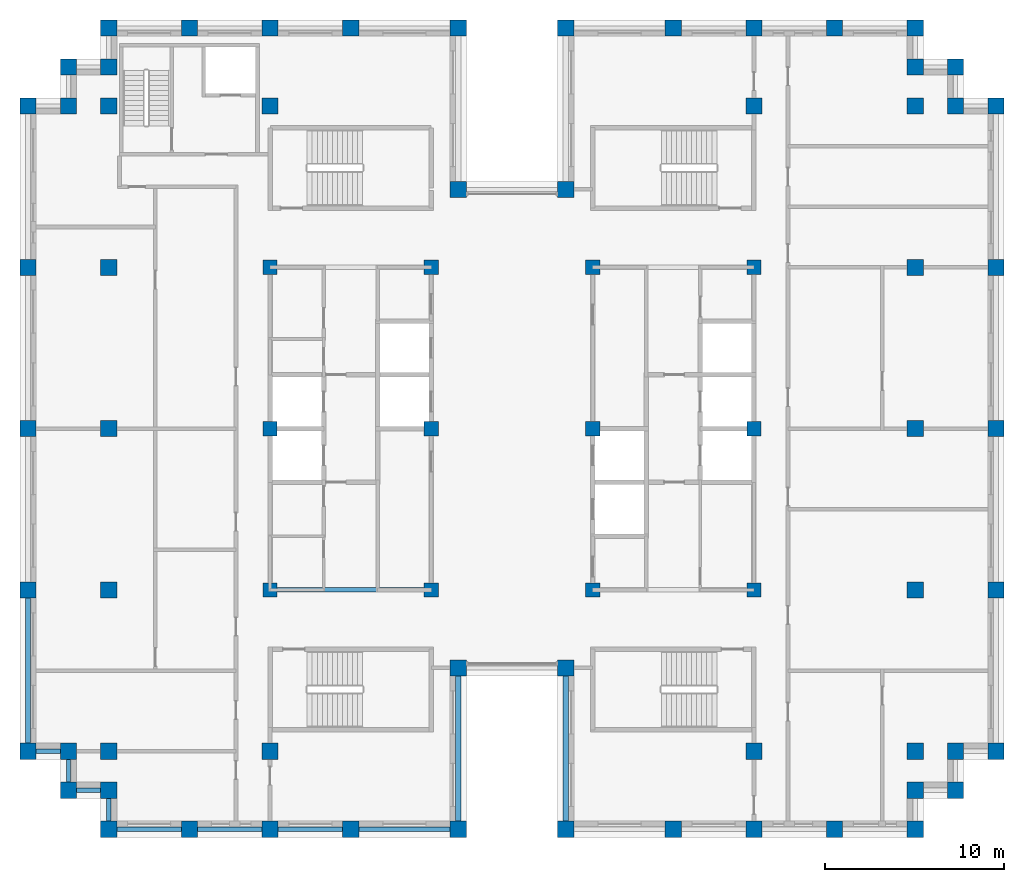
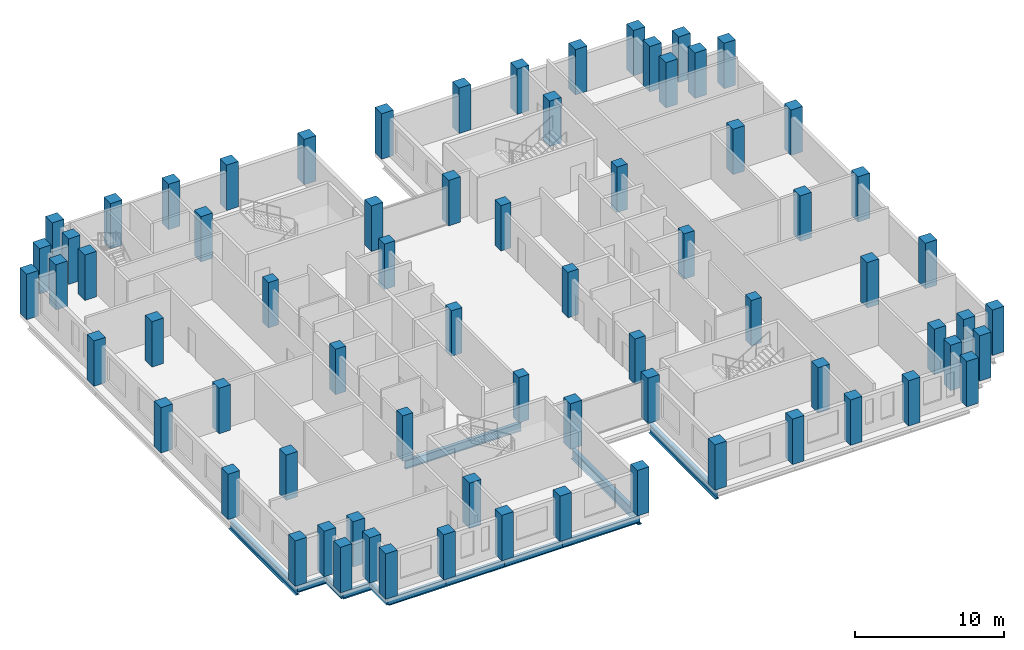
# One storey, part 1 of 13: 72 columns, 12 beams.
"""IFC4 building model written with IfcOpenShell, lengths in metres."""

from ifc_helpers import new_model, si_unit, direction, frame, origin, origin_2d, place, context, subcontext, project, spatial, rectangle, i_section, extrude, material, material_profile, profile_set, type_object, element, save


model = new_model("IFC4")

# Units and contexts
model_context = context("Model", 3, precision=1e-05, world=origin(), true_north=direction((0.0, 1.0)))
body_context = subcontext(model_context, "Body", "Model", "MODEL_VIEW")
ifc_project = project(units=[si_unit("LENGTHUNIT", "METRE"), si_unit("AREAUNIT", "SQUARE_METRE"), si_unit("VOLUMEUNIT", "CUBIC_METRE"), si_unit("PLANEANGLEUNIT", "RADIAN"), si_unit("MASSUNIT", "GRAM", prefix="KILO")], contexts=[model_context])

# Site, building, storey
site_placement = place(None, origin())
site = spatial("IfcSite", under=ifc_project, at=site_placement, CompositionType="ELEMENT")
building_placement = place(site_placement, origin())
building = spatial("IfcBuilding", under=site, at=building_placement, Name="Corbelhall Arena Tower", CompositionType="ELEMENT")
storey_placement = place(building_placement, frame((0.0, 0.0, 258.0)))
storey = spatial("IfcBuildingStorey", under=building, at=storey_placement, Name="L55", CompositionType="ELEMENT", Elevation=258.0)

# Columns
ifc_material_1 = material(Name="Concrete C80/95", Category="concrete")
ifc_material_profile_1 = material_profile(ifc_material_1, rectangle(XDim=0.800048828125, YDim=0.800048828125, at=origin_2d()))
ifc_profile_set_1 = profile_set([ifc_material_profile_1], Name="Concrete C80/95")
column_type_1 = type_object("IfcColumnType", Name="ST-COL-RC 800x800", PredefinedType="COLUMN", material=ifc_profile_set_1)
for number, where, z_axis, x_axis, name in (
    (1, (4.5, 0.0, 0.0), (0.0, 0.0, 1.0), (1.0, 0.0, 0.0), "Column KE+0450+0000"),
    (2, (4.5, 9.0, 0.0), (0.0, 0.0, 1.0), (1.0, 0.0, 0.0), "Column KE+0450+0900"),
    (3, (4.5, -9.0, 0.0), (0.0, 0.0, 1.0), (1.0, 0.0, 0.0), "Column KE+0450-0900"),
    (4, (13.5, 0.0, 0.0), (0.0, 0.0, 1.0), (1.0, 0.0, 0.0), "Column KE+1350+0000"),
    (5, (13.5, 9.0, 0.0), (0.0, 0.0, 1.0), (1.0, 0.0, 0.0), "Column KE+1350+0900"),
    (6, (13.5, -9.0, 0.0), (0.0, 0.0, 1.0), (1.0, 0.0, 0.0), "Column KE+1350-0900"),
    (7, (-4.5, 0.0, 0.0), (0.0, 0.0, 1.0), (1.0, 0.0, 0.0), "Column KW-0450+0000"),
    (8, (-4.5, 9.0, 0.0), (0.0, 0.0, 1.0), (1.0, 0.0, 0.0), "Column KW-0450+0900"),
    (9, (-4.5, -9.0, 0.0), (0.0, 0.0, 1.0), (1.0, 0.0, 0.0), "Column KW-0450-0900"),
    (10, (-13.5, 0.0, 0.0), (0.0, 0.0, 1.0), (1.0, 0.0, 0.0), "Column KW-1350+0000"),
    (11, (-13.5, 9.0, 0.0), (0.0, 0.0, 1.0), (1.0, 0.0, 0.0), "Column KW-1350+0900"),
    (12, (-13.5, -9.0, 0.0), (0.0, 0.0, 1.0), (1.0, 0.0, 0.0), "Column KW-1350-0900"),
):
    element("IfcColumn", number, at=place(storey_placement, frame(where, z_axis=z_axis, x_axis=x_axis)), inside=storey, type_object=column_type_1, Name=name, PredefinedType="COLUMN", context=body_context, shape_type="SweptSolid", body=[
        extrude(rectangle(XDim=0.800048828125, YDim=0.800048828125, at=origin_2d()), origin(), (0.0, 0.0, 1.0), 3.719970703125),
    ])
ifc_material_profile_2 = material_profile(ifc_material_1, rectangle(XDim=0.89990234375, YDim=0.89990234375, at=origin_2d()))
ifc_profile_set_2 = profile_set([ifc_material_profile_2], Name="Concrete C80/95")
column_type_2 = type_object("IfcColumnType", Name="ST-COL-RC 900x900", PredefinedType="COLUMN", material=ifc_profile_set_2)
for number, where, z_axis, x_axis, name in (
    (13, (13.5, 18.0, 0.0), (0.0, 0.0, 1.0), (1.0, 0.0, 0.0), "Column IE13+1800"),
    (14, (13.5, -18.0, 0.0), (0.0, 0.0, 1.0), (1.0, 0.0, 0.0), "Column IE13-1800"),
    (15, (22.5, 0.0, 0.0), (0.0, 0.0, 1.0), (1.0, 0.0, 0.0), "Column IE22+0000"),
    (16, (22.5, 9.0, 0.0), (0.0, 0.0, 1.0), (1.0, 0.0, 0.0), "Column IE22+0900"),
    (17, (22.5, 18.0, 0.0), (0.0, 0.0, 1.0), (1.0, 0.0, 0.0), "Column IE22+1800"),
    (18, (22.5, -9.0, 0.0), (0.0, 0.0, 1.0), (1.0, 0.0, 0.0), "Column IE22-0900"),
    (19, (22.5, -18.0, 0.0), (0.0, 0.0, 1.0), (1.0, 0.0, 0.0), "Column IE22-1800"),
    (20, (-13.5, 18.0, 0.0), (0.0, 0.0, 1.0), (1.0, 0.0, 0.0), "Column IW13+1800"),
    (21, (-13.5, -18.0, 0.0), (0.0, 0.0, 1.0), (1.0, 0.0, 0.0), "Column IW13-1800"),
    (22, (-22.5, 0.0, 0.0), (0.0, 0.0, 1.0), (1.0, 0.0, 0.0), "Column IW22+0000"),
    (23, (-22.5, 9.0, 0.0), (0.0, 0.0, 1.0), (1.0, 0.0, 0.0), "Column IW22+0900"),
    (24, (-22.5, 18.0, 0.0), (0.0, 0.0, 1.0), (1.0, 0.0, 0.0), "Column IW22+1800"),
    (25, (-22.5, -9.0, 0.0), (0.0, 0.0, 1.0), (1.0, 0.0, 0.0), "Column IW22-0900"),
    (26, (-22.5, -18.0, 0.0), (0.0, 0.0, 1.0), (1.0, 0.0, 0.0), "Column IW22-1800"),
    (27, (27.0, 0.0, 0.0), (0.0, 0.0, 1.0), (0.0, 1.0, 0.0), "Column PE+0000"),
    (28, (27.0, 9.0, 0.0), (0.0, 0.0, 1.0), (0.0, 1.0, 0.0), "Column PE+0900"),
    (29, (27.0, 18.0, 0.0), (0.0, 0.0, 1.0), (0.0, 1.0, 0.0), "Column PE+1800"),
    (30, (27.0, -9.0, 0.0), (0.0, 0.0, 1.0), (0.0, 1.0, 0.0), "Column PE-0900"),
    (31, (27.0, -18.0, 0.0), (0.0, 0.0, 1.0), (0.0, 1.0, 0.0), "Column PE-1800"),
    (32, (3.0, 22.35009765625, 0.0), (0.0, 0.0, 1.0), (1.0, 0.0, 0.0), "Column PNE0300"),
    (33, (9.0, 22.35009765625, 0.0), (0.0, 0.0, 1.0), (1.0, 0.0, 0.0), "Column PNE0900"),
    (34, (13.5, 22.35009765625, 0.0), (0.0, 0.0, 1.0), (1.0, 0.0, 0.0), "Column PNE1350"),
    (35, (18.0, 22.35009765625, 0.0), (0.0, 0.0, 1.0), (1.0, 0.0, 0.0), "Column PNE1800"),
    (36, (22.5, 22.35009765625, 0.0), (0.0, 0.0, 1.0), (1.0, 0.0, 0.0), "Column PNE2250"),
    (37, (-3.0, 22.35009765625, 0.0), (0.0, 0.0, 1.0), (1.0, 0.0, 0.0), "Column PNW0300"),
    (38, (-9.0, 22.35009765625, 0.0), (0.0, 0.0, 1.0), (1.0, 0.0, 0.0), "Column PNW0900"),
    (39, (-13.5, 22.35009765625, 0.0), (0.0, 0.0, 1.0), (1.0, 0.0, 0.0), "Column PNW1350"),
    (40, (-18.0, 22.35009765625, 0.0), (0.0, 0.0, 1.0), (1.0, 0.0, 0.0), "Column PNW1800"),
    (41, (-22.5, 22.35009765625, 0.0), (0.0, 0.0, 1.0), (1.0, 0.0, 0.0), "Column PNW2250"),
    (42, (3.0, -22.35009765625, 0.0), (0.0, 0.0, 1.0), (1.0, 0.0, 0.0), "Column PSE0300"),
    (43, (9.0, -22.35009765625, 0.0), (0.0, 0.0, 1.0), (1.0, 0.0, 0.0), "Column PSE0900"),
    (44, (13.5, -22.35009765625, 0.0), (0.0, 0.0, 1.0), (1.0, 0.0, 0.0), "Column PSE1350"),
    (45, (18.0, -22.35009765625, 0.0), (0.0, 0.0, 1.0), (1.0, 0.0, 0.0), "Column PSE1800"),
    (46, (22.5, -22.35009765625, 0.0), (0.0, 0.0, 1.0), (1.0, 0.0, 0.0), "Column PSE2250"),
    (47, (-3.0, -22.35009765625, 0.0), (0.0, 0.0, 1.0), (1.0, 0.0, 0.0), "Column PSW0300"),
    (48, (-9.0, -22.35009765625, 0.0), (0.0, 0.0, 1.0), (1.0, 0.0, 0.0), "Column PSW0900"),
    (49, (-13.5, -22.35009765625, 0.0), (0.0, 0.0, 1.0), (1.0, 0.0, 0.0), "Column PSW1350"),
    (50, (-18.0, -22.35009765625, 0.0), (0.0, 0.0, 1.0), (1.0, 0.0, 0.0), "Column PSW1800"),
    (51, (-22.5, -22.35009765625, 0.0), (0.0, 0.0, 1.0), (1.0, 0.0, 0.0), "Column PSW2250"),
    (52, (-27.0, 0.0, 0.0), (0.0, 0.0, 1.0), (0.0, 1.0, 0.0), "Column PW+0000"),
    (53, (-27.0, 9.0, 0.0), (0.0, 0.0, 1.0), (0.0, 1.0, 0.0), "Column PW+0900"),
    (54, (-27.0, 18.0, 0.0), (0.0, 0.0, 1.0), (0.0, 1.0, 0.0), "Column PW+1800"),
    (55, (-27.0, -9.0, 0.0), (0.0, 0.0, 1.0), (0.0, 1.0, 0.0), "Column PW-0900"),
    (56, (-27.0, -18.0, 0.0), (0.0, 0.0, 1.0), (0.0, 1.0, 0.0), "Column PW-1800"),
    (57, (3.0, 13.35009765625, 0.0), (0.0, 0.0, 1.0), (1.0, 0.0, 0.0), "Column SLNE2"),
    (58, (-3.0, 13.35009765625, 0.0), (0.0, 0.0, 1.0), (1.0, 0.0, 0.0), "Column SLNW2"),
    (59, (3.0, -13.35009765625, 0.0), (0.0, 0.0, 1.0), (1.0, 0.0, 0.0), "Column SLSE2"),
    (60, (-3.0, -13.35009765625, 0.0), (0.0, 0.0, 1.0), (1.0, 0.0, 0.0), "Column SLSW2"),
    (61, (22.5, 20.175048828125, 0.0), (0.0, 0.0, 1.0), (1.0, 0.0, 0.0), "Column XNE1"),
    (62, (24.75, 20.175048828125, 0.0), (0.0, 0.0, 1.0), (1.0, 0.0, 0.0), "Column XNE2"),
    (63, (24.75, 18.0, 0.0), (0.0, 0.0, 1.0), (1.0, 0.0, 0.0), "Column XNE3"),
    (64, (-22.5, 20.175048828125, 0.0), (0.0, 0.0, 1.0), (1.0, 0.0, 0.0), "Column XNW1"),
    (65, (-24.75, 20.175048828125, 0.0), (0.0, 0.0, 1.0), (1.0, 0.0, 0.0), "Column XNW2"),
    (66, (-24.75, 18.0, 0.0), (0.0, 0.0, 1.0), (1.0, 0.0, 0.0), "Column XNW3"),
    (67, (22.5, -20.175048828125, 0.0), (0.0, 0.0, 1.0), (1.0, 0.0, 0.0), "Column XSE1"),
    (68, (24.75, -20.175048828125, 0.0), (0.0, 0.0, 1.0), (1.0, 0.0, 0.0), "Column XSE2"),
    (69, (24.75, -18.0, 0.0), (0.0, 0.0, 1.0), (1.0, 0.0, 0.0), "Column XSE3"),
    (70, (-22.5, -20.175048828125, 0.0), (0.0, 0.0, 1.0), (1.0, 0.0, 0.0), "Column XSW1"),
    (71, (-24.75, -20.175048828125, 0.0), (0.0, 0.0, 1.0), (1.0, 0.0, 0.0), "Column XSW2"),
    (72, (-24.75, -18.0, 0.0), (0.0, 0.0, 1.0), (1.0, 0.0, 0.0), "Column XSW3"),
):
    element("IfcColumn", number, at=place(storey_placement, frame(where, z_axis=z_axis, x_axis=x_axis)), inside=storey, type_object=column_type_2, Name=name, PredefinedType="COLUMN", context=body_context, shape_type="SweptSolid", body=[
        extrude(rectangle(XDim=0.89990234375, YDim=0.89990234375, at=origin_2d()), origin(), (0.0, 0.0, 1.0), 3.719970703125),
    ])

# Beams
ifc_material_2 = material(Name="Steel ASTM A992 Gr50", Category="steel")
ifc_material_profile_3 = material_profile(ifc_material_2, i_section(OverallWidth=0.25390625, OverallDepth=0.67822265625, WebThickness=0.01171875, FlangeThickness=0.016357421875, at=origin_2d()))
ifc_profile_set_3 = profile_set([ifc_material_profile_3], Name="Steel ASTM A992 Gr50")
beam_type_1 = type_object("IfcBeamType", Name="ST-BEAM-W27x84", PredefinedType="BEAM", material=ifc_profile_set_3)
beam_1_placement = place(storey_placement, frame((-13.5, -9.0, -0.619140625), z_axis=(1.0, 0.0, 0.0), x_axis=(0.0, 1.0, 0.0)))
element("IfcBeam", 73, at=beam_1_placement, inside=storey, type_object=beam_type_1, Name="Beam CEW 5", PredefinedType="BEAM", context=body_context, shape_type="SweptSolid", body=[
    extrude(i_section(OverallWidth=0.25390625, OverallDepth=0.67822265625, WebThickness=0.01171875, FlangeThickness=0.016357421875, at=origin_2d()), origin(), (0.0, 0.0, 1.0), 9.0),
])
ifc_material_profile_4 = material_profile(ifc_material_2, i_section(OverallWidth=0.227783203125, OverallDepth=0.60205078125, WebThickness=0.010498046875, FlangeThickness=0.014892578125, at=origin_2d()))
ifc_profile_set_4 = profile_set([ifc_material_profile_4], Name="Steel ASTM A992 Gr50")
beam_type_2 = type_object("IfcBeamType", Name="ST-SPANDREL-W24x68", PredefinedType="SPANDREL", material=ifc_profile_set_4)
beam_2_placement = place(storey_placement, frame((-3.0, -22.35009765625, -0.5810546875), z_axis=(-1.0, 0.0, 0.0), x_axis=(0.0, -1.0, 0.0)))
element("IfcBeam", 74, at=beam_2_placement, inside=storey, type_object=beam_type_2, Name="Beam SP 21", PredefinedType="SPANDREL", context=body_context, shape_type="SweptSolid", body=[
    extrude(i_section(OverallWidth=0.227783203125, OverallDepth=0.60205078125, WebThickness=0.010498046875, FlangeThickness=0.014892578125, at=origin_2d()), origin(), (0.0, 0.0, 1.0), 6.0),
])
for number, where, z_axis, x_axis, name in (
    (75, (-9.0, -22.35009765625, -0.5810546875), (-1.0, 0.0, 0.0), (0.0, -1.0, 0.0), "Beam SP 22"),
    (76, (-13.5, -22.35009765625, -0.5810546875), (-1.0, 0.0, 0.0), (0.0, -1.0, 0.0), "Beam SP 23"),
    (77, (-18.0, -22.35009765625, -0.5810546875), (-1.0, 0.0, 0.0), (0.0, -1.0, 0.0), "Beam SP 24"),
):
    element("IfcBeam", number, at=place(storey_placement, frame(where, z_axis=z_axis, x_axis=x_axis)), inside=storey, type_object=beam_type_2, Name=name, PredefinedType="SPANDREL", context=body_context, shape_type="SweptSolid", body=[
        extrude(i_section(OverallWidth=0.227783203125, OverallDepth=0.60205078125, WebThickness=0.010498046875, FlangeThickness=0.014892578125, at=origin_2d()), origin(), (0.0, 0.0, 1.0), 4.5),
    ])
beam_3_placement = place(storey_placement, frame((-22.5, -22.35009765625, -0.5810546875), z_axis=(0.0, 1.0, 0.0), x_axis=(-1.0, 0.0, 0.0)))
element("IfcBeam", 78, at=beam_3_placement, inside=storey, type_object=beam_type_2, Name="Beam SP 25", PredefinedType="SPANDREL", context=body_context, shape_type="SweptSolid", body=[
    extrude(i_section(OverallWidth=0.227783203125, OverallDepth=0.60205078125, WebThickness=0.010498046875, FlangeThickness=0.014892578125, at=origin_2d()), origin(), (0.0, 0.0, 1.0), 2.175048828125),
])
beam_4_placement = place(storey_placement, frame((-22.5, -20.175048828125, -0.5810546875), z_axis=(-1.0, 0.0, 0.0), x_axis=(0.0, -1.0, 0.0)))
element("IfcBeam", 79, at=beam_4_placement, inside=storey, type_object=beam_type_2, Name="Beam SP 44", PredefinedType="SPANDREL", context=body_context, shape_type="SweptSolid", body=[
    extrude(i_section(OverallWidth=0.227783203125, OverallDepth=0.60205078125, WebThickness=0.010498046875, FlangeThickness=0.014892578125, at=origin_2d()), origin(), (0.0, 0.0, 1.0), 2.25),
])
beam_5_placement = place(storey_placement, frame((-24.75, -20.175048828125, -0.5810546875), z_axis=(0.0, 1.0, 0.0), x_axis=(-1.0, 0.0, 0.0)))
element("IfcBeam", 80, at=beam_5_placement, inside=storey, type_object=beam_type_2, Name="Beam SP 45", PredefinedType="SPANDREL", context=body_context, shape_type="SweptSolid", body=[
    extrude(i_section(OverallWidth=0.227783203125, OverallDepth=0.60205078125, WebThickness=0.010498046875, FlangeThickness=0.014892578125, at=origin_2d()), origin(), (0.0, 0.0, 1.0), 2.175048828125),
])
beam_6_placement = place(storey_placement, frame((-24.75, -18.0, -0.5810546875), z_axis=(-1.0, 0.0, 0.0), x_axis=(0.0, -1.0, 0.0)))
element("IfcBeam", 81, at=beam_6_placement, inside=storey, type_object=beam_type_2, Name="Beam SP 46", PredefinedType="SPANDREL", context=body_context, shape_type="SweptSolid", body=[
    extrude(i_section(OverallWidth=0.227783203125, OverallDepth=0.60205078125, WebThickness=0.010498046875, FlangeThickness=0.014892578125, at=origin_2d()), origin(), (0.0, 0.0, 1.0), 2.25),
])
ifc_material_profile_5 = material_profile(ifc_material_2, i_section(OverallWidth=0.2919921875, OverallDepth=0.845703125, WebThickness=0.015380859375, FlangeThickness=0.0244140625, at=origin_2d()))
ifc_profile_set_5 = profile_set([ifc_material_profile_5], Name="Steel ASTM A992 Gr50")
beam_type_3 = type_object("IfcBeamType", Name="ST-SPANDREL-W33x141", PredefinedType="SPANDREL", material=ifc_profile_set_5)
for number, where, z_axis, x_axis, name in (
    (82, (3.0, -22.35009765625, -0.702880859375), (0.0, 1.0, 0.0), (-1.0, 0.0, 0.0), "Beam SP 16"),
    (83, (-27.0, -18.0, -0.702880859375), (0.0, 1.0, 0.0), (-1.0, 0.0, 0.0), "Beam SP 30"),
    (84, (-3.0, -13.35009765625, -0.702880859375), (0.0, -1.0, 0.0), (1.0, 0.0, 0.0), "Beam SP 34"),
):
    element("IfcBeam", number, at=place(storey_placement, frame(where, z_axis=z_axis, x_axis=x_axis)), inside=storey, type_object=beam_type_3, Name=name, PredefinedType="SPANDREL", context=body_context, shape_type="SweptSolid", body=[
        extrude(i_section(OverallWidth=0.2919921875, OverallDepth=0.845703125, WebThickness=0.015380859375, FlangeThickness=0.0244140625, at=origin_2d()), origin(), (0.0, 0.0, 1.0), 9.0),
    ])

save(model, "model.ifc")
